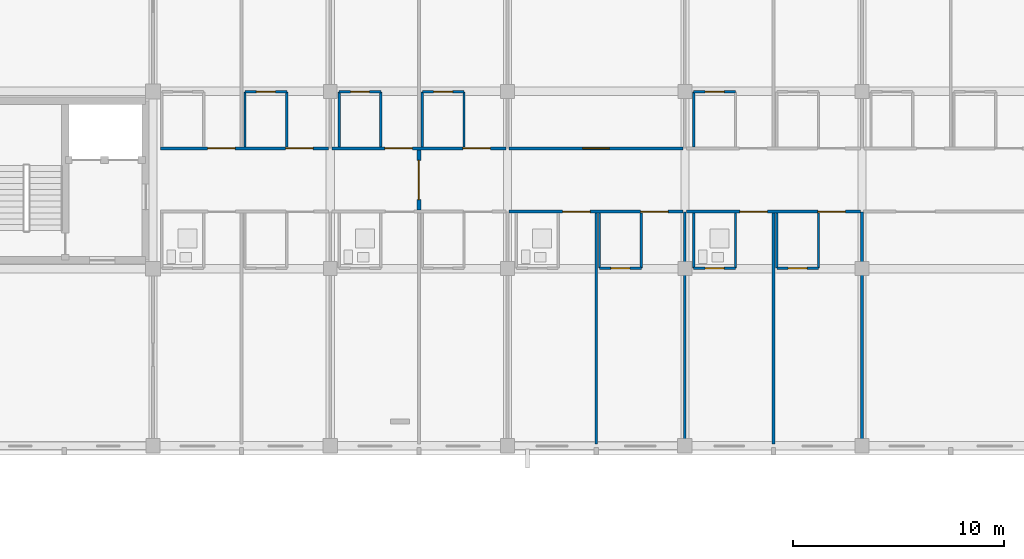
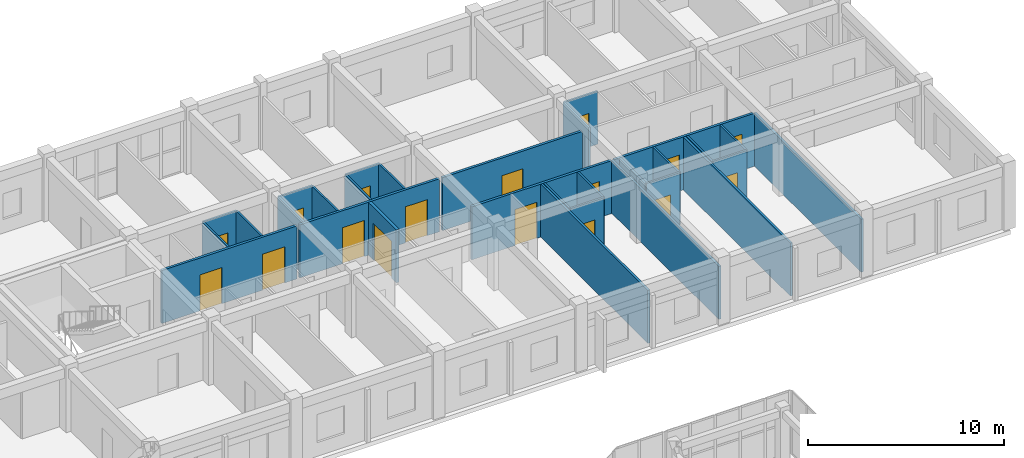
# One storey, part 122 of 140: 30 walls, 17 doors, 17 openings.
"""IFC4 building model written with IfcOpenShell, lengths in metres."""

from ifc_helpers import new_model, si_unit, direction, frame, frame_2d, origin, place, context, subcontext, project, spatial, rectangle, extrude, material, layer, layer_set, type_object, element, fill, save


model = new_model("IFC4")

# Units and contexts
model_context = context("Model", 3, precision=1e-05, world=origin(), true_north=direction((0.0, 1.0)))
body_context = subcontext(model_context, "Body", "Model", "MODEL_VIEW")
ifc_project = project(units=[si_unit("LENGTHUNIT", "METRE"), si_unit("AREAUNIT", "SQUARE_METRE"), si_unit("VOLUMEUNIT", "CUBIC_METRE"), si_unit("PLANEANGLEUNIT", "RADIAN"), si_unit("MASSUNIT", "GRAM", prefix="KILO")], contexts=[model_context])

# Site, building, storey
site_placement = place(None, origin())
site = spatial("IfcSite", under=ifc_project, at=site_placement, CompositionType="ELEMENT")
building_placement = place(site_placement, origin())
building = spatial("IfcBuilding", under=site, at=building_placement, Name="Trelvath General Hospital", CompositionType="ELEMENT")
storey_placement = place(building_placement, frame((0.0, 0.0, 16.199951171875)))
storey = spatial("IfcBuildingStorey", under=building, at=storey_placement, Name="L04", CompositionType="ELEMENT", Elevation=16.199951171875)

# Wall, openings, doors
ifc_material_1 = material(Name="Gypsum acoustic steel-stud partition", Category="steel")
ifc_layer_1 = layer(ifc_material_1, 0.14990234375)
ifc_layer_set_1 = layer_set([ifc_layer_1], Name="Gypsum acoustic steel-stud partition")
wall_type_1 = type_object("IfcWallType", Name="ClinicalPartition 150", PredefinedType="PARTITIONING", material=ifc_layer_set_1)
wall_1_placement = place(storey_placement, frame((100.719970703125, 106.5, 0.0), z_axis=(0.0, 0.0, 1.0), x_axis=(-1.0, 0.0, 0.0)))
wall_1 = element("IfcWall", 1, at=wall_1_placement, inside=storey, type_object=wall_type_1, Name="Corridor Partition N L04-1646", PredefinedType="PARTITIONING", context=body_context, shape_type="SweptSolid", body=[
    extrude(rectangle(XDim=7.9599609375, YDim=0.14990234375, at=frame_2d((3.97998046875, 0.0))), origin(), (0.0, 0.0, 1.0), 3.300048828125),
])
opening_1_placement = place(wall_1_placement, frame((0.72998046875, 0.0, 0.0)))
opening_1 = element("IfcOpeningElement", 2, at=opening_1_placement, cuts=wall_1, Name="Opening D-4-1114", PredefinedType="OPENING", context=body_context, shape_type="SweptSolid", body=[
    extrude(rectangle(XDim=1.300048828125, YDim=2.25, at=frame_2d((0.64990234375, 1.125))), frame((0.0, 0.0849609375, 0.0), z_axis=(0.0, -1.0, 0.0), x_axis=(1.0, 0.0, 0.0)), (0.0, 0.0, 1.0), 0.169921875),
])
opening_2_placement = place(wall_1_placement, frame((4.429931640625, 0.0, 0.0)))
opening_2 = element("IfcOpeningElement", 3, at=opening_2_placement, cuts=wall_1, Name="Opening D-4-1115", PredefinedType="OPENING", context=body_context, shape_type="SweptSolid", body=[
    extrude(rectangle(XDim=1.300048828125, YDim=2.25, at=frame_2d((0.64990234375, 1.125))), frame((0.0, 0.0849609375, 0.0), z_axis=(0.0, -1.0, 0.0), x_axis=(1.0, 0.0, 0.0)), (0.0, 0.0, 1.0), 0.169921875),
])
ifc_material_2 = material(Name="Hospital bed-leaf timber door", Category="wood")
door_type_1 = type_object("IfcDoorType", Name="Door PatientBed 1300x2250", OperationType="NOTDEFINED", PredefinedType="DOOR", material=ifc_material_2)
door_1_placement = place(opening_1_placement, origin())
door_1 = element("IfcDoor", 4, at=door_1_placement, inside=storey, type_object=door_type_1, Name="Patient Room Door N L04-1114", OperationType="SINGLE_SWING_RIGHT", OverallHeight=2.25, OverallWidth=1.300048828125, PredefinedType="DOOR", context=body_context, shape_type="SweptSolid", body=[
    extrude(rectangle(XDim=1.300048828125, YDim=2.25, at=frame_2d((0.64990234375, 1.125))), frame((0.0, 0.02490234375, 0.0), z_axis=(0.0, -1.0, 0.0), x_axis=(1.0, 0.0, 0.0)), (0.0, 0.0, 1.0), 0.050048828125),
])
fill(opening_1, door_1)
door_2_placement = place(opening_2_placement, origin())
door_2 = element("IfcDoor", 5, at=door_2_placement, inside=storey, type_object=door_type_1, Name="Patient Room Door N L04-1115", OperationType="SINGLE_SWING_RIGHT", OverallHeight=2.25, OverallWidth=1.300048828125, PredefinedType="DOOR", context=body_context, shape_type="SweptSolid", body=[
    extrude(rectangle(XDim=1.300048828125, YDim=2.25, at=frame_2d((0.64990234375, 1.125))), frame((0.0, 0.02490234375, 0.0), z_axis=(0.0, -1.0, 0.0), x_axis=(1.0, 0.0, 0.0)), (0.0, 0.0, 1.0), 0.050048828125),
])
fill(opening_2, door_2)

wall_2_placement = place(storey_placement, frame((109.1201171875, 106.5, 0.0), z_axis=(0.0, 0.0, 1.0), x_axis=(-1.0, 0.0, 0.0)))
wall_2 = element("IfcWall", 6, at=wall_2_placement, inside=storey, type_object=wall_type_1, Name="Corridor Partition N L04-1665", PredefinedType="PARTITIONING", context=body_context, shape_type="SweptSolid", body=[
    extrude(rectangle(XDim=8.240234375, YDim=0.14990234375, at=frame_2d((4.1201171875, 0.0))), origin(), (0.0, 0.0, 1.0), 3.300048828125),
])
opening_3_placement = place(wall_2_placement, frame((0.72998046875, 0.0, 0.0)))
opening_3 = element("IfcOpeningElement", 7, at=opening_3_placement, cuts=wall_2, Name="Opening D-4-1122", PredefinedType="OPENING", context=body_context, shape_type="SweptSolid", body=[
    extrude(rectangle(XDim=1.300048828125, YDim=2.25, at=frame_2d((0.64990234375, 1.125))), frame((0.0, 0.0849609375, 0.0), z_axis=(0.0, -1.0, 0.0), x_axis=(1.0, 0.0, 0.0)), (0.0, 0.0, 1.0), 0.169921875),
])
opening_4_placement = place(wall_2_placement, frame((4.429931640625, 0.0, 0.0)))
opening_4 = element("IfcOpeningElement", 8, at=opening_4_placement, cuts=wall_2, Name="Opening D-4-1123", PredefinedType="OPENING", context=body_context, shape_type="SweptSolid", body=[
    extrude(rectangle(XDim=1.300048828125, YDim=2.25, at=frame_2d((0.64990234375, 1.125))), frame((0.0, 0.0849609375, 0.0), z_axis=(0.0, -1.0, 0.0), x_axis=(1.0, 0.0, 0.0)), (0.0, 0.0, 1.0), 0.169921875),
])
door_3_placement = place(opening_3_placement, origin())
door_3 = element("IfcDoor", 9, at=door_3_placement, inside=storey, type_object=door_type_1, Name="Patient Room Door N L04-1122", OperationType="SINGLE_SWING_LEFT", OverallHeight=2.25, OverallWidth=1.300048828125, PredefinedType="DOOR", context=body_context, shape_type="SweptSolid", body=[
    extrude(rectangle(XDim=1.300048828125, YDim=2.25, at=frame_2d((0.64990234375, 1.125))), frame((0.0, 0.02490234375, 0.0), z_axis=(0.0, -1.0, 0.0), x_axis=(1.0, 0.0, 0.0)), (0.0, 0.0, 1.0), 0.050048828125),
])
fill(opening_3, door_3)
door_4_placement = place(opening_4_placement, origin())
door_4 = element("IfcDoor", 10, at=door_4_placement, inside=storey, type_object=door_type_1, Name="Patient Room Door N L04-1123", OperationType="SINGLE_SWING_LEFT", OverallHeight=2.25, OverallWidth=1.300048828125, PredefinedType="DOOR", context=body_context, shape_type="SweptSolid", body=[
    extrude(rectangle(XDim=1.300048828125, YDim=2.25, at=frame_2d((0.64990234375, 1.125))), frame((0.0, 0.02490234375, 0.0), z_axis=(0.0, -1.0, 0.0), x_axis=(1.0, 0.0, 0.0)), (0.0, 0.0, 1.0), 0.050048828125),
])
fill(opening_4, door_4)

wall_3_placement = place(storey_placement, frame((109.280029296875, 103.5, 0.0), z_axis=(0.0, 0.0, 1.0), x_axis=(1.0, 0.0, 0.0)))
wall_3 = element("IfcWall", 11, at=wall_3_placement, inside=storey, type_object=wall_type_1, Name="Corridor Partition L04-1676", PredefinedType="PARTITIONING", context=body_context, shape_type="SweptSolid", body=[
    extrude(rectangle(XDim=8.239990234375, YDim=0.14990234375, at=frame_2d((4.1201171875, 0.0))), origin(), (0.0, 0.0, 1.0), 3.300048828125),
])
opening_5_placement = place(wall_3_placement, frame((2.530029296875, 0.0, 0.0)))
opening_5 = element("IfcOpeningElement", 12, at=opening_5_placement, cuts=wall_3, Name="Opening D-4-1127", PredefinedType="OPENING", context=body_context, shape_type="SweptSolid", body=[
    extrude(rectangle(XDim=1.300048828125, YDim=2.25, at=frame_2d((0.64990234375, 1.125))), frame((0.0, 0.0849609375, 0.0), z_axis=(0.0, -1.0, 0.0), x_axis=(1.0, 0.0, 0.0)), (0.0, 0.0, 1.0), 0.169921875),
])
opening_6_placement = place(wall_3_placement, frame((6.22998046875, 0.0, 0.0)))
opening_6 = element("IfcOpeningElement", 13, at=opening_6_placement, cuts=wall_3, Name="Opening D-4-1128", PredefinedType="OPENING", context=body_context, shape_type="SweptSolid", body=[
    extrude(rectangle(XDim=1.300048828125, YDim=2.25, at=frame_2d((0.64990234375, 1.125))), frame((0.0, 0.0849609375, 0.0), z_axis=(0.0, -1.0, 0.0), x_axis=(1.0, 0.0, 0.0)), (0.0, 0.0, 1.0), 0.169921875),
])
door_5_placement = place(opening_5_placement, origin())
door_5 = element("IfcDoor", 14, at=door_5_placement, inside=storey, type_object=door_type_1, Name="Patient Room Door L04-1127", OperationType="SINGLE_SWING_RIGHT", OverallHeight=2.25, OverallWidth=1.300048828125, PredefinedType="DOOR", context=body_context, shape_type="SweptSolid", body=[
    extrude(rectangle(XDim=1.300048828125, YDim=2.25, at=frame_2d((0.64990234375, 1.125))), frame((0.0, 0.02490234375, 0.0), z_axis=(0.0, -1.0, 0.0), x_axis=(1.0, 0.0, 0.0)), (0.0, 0.0, 1.0), 0.050048828125),
])
fill(opening_5, door_5)
door_6_placement = place(opening_6_placement, origin())
door_6 = element("IfcDoor", 15, at=door_6_placement, inside=storey, type_object=door_type_1, Name="Patient Room Door L04-1128", OperationType="SINGLE_SWING_LEFT", OverallHeight=2.25, OverallWidth=1.300048828125, PredefinedType="DOOR", context=body_context, shape_type="SweptSolid", body=[
    extrude(rectangle(XDim=1.300048828125, YDim=2.25, at=frame_2d((0.64990234375, 1.125))), frame((0.0, 0.02490234375, 0.0), z_axis=(0.0, -1.0, 0.0), x_axis=(1.0, 0.0, 0.0)), (0.0, 0.0, 1.0), 0.050048828125),
])
fill(opening_6, door_6)

# Wall, opening, door
wall_4_placement = place(storey_placement, frame((117.52001953125, 106.5, 0.0), z_axis=(0.0, 0.0, 1.0), x_axis=(-1.0, 0.0, 0.0)))
wall_4 = element("IfcWall", 16, at=wall_4_placement, inside=storey, type_object=wall_type_1, Name="Corridor Partition N L04-1684", PredefinedType="PARTITIONING", context=body_context, shape_type="SweptSolid", body=[
    extrude(rectangle(XDim=8.239990234375, YDim=0.14990234375, at=frame_2d((4.1201171875, 0.0))), origin(), (0.0, 0.0, 1.0), 3.300048828125),
])
opening_7_placement = place(wall_4_placement, frame((3.4951171875, 0.0, 0.0)))
opening_7 = element("IfcOpeningElement", 17, at=opening_7_placement, cuts=wall_4, Name="Opening D-4-1131", PredefinedType="OPENING", context=body_context, shape_type="SweptSolid", body=[
    extrude(rectangle(XDim=1.25, YDim=2.199951171875, at=frame_2d((0.625, 1.10009765625))), frame((0.0, 0.0849609375, 0.0), z_axis=(0.0, -1.0, 0.0), x_axis=(1.0, 0.0, 0.0)), (0.0, 0.0, 1.0), 0.169921875),
])
ifc_material_3 = material(Name="Acoustic hospital timber leaf", Category="wood")
door_type_2 = type_object("IfcDoorType", Name="Door Treatment 1250x2200", OperationType="NOTDEFINED", PredefinedType="DOOR", material=ifc_material_3)
door_7_placement = place(opening_7_placement, origin())
door_7 = element("IfcDoor", 18, at=door_7_placement, inside=storey, type_object=door_type_2, Name="Clinical Room Door L04-1131", OperationType="SINGLE_SWING_RIGHT", OverallHeight=2.199951171875, OverallWidth=1.25, PredefinedType="DOOR", context=body_context, shape_type="SweptSolid", body=[
    extrude(rectangle(XDim=1.25, YDim=2.199951171875, at=frame_2d((0.625, 1.10009765625))), frame((0.0, 0.02490234375, 0.0), z_axis=(0.0, -1.0, 0.0), x_axis=(1.0, 0.0, 0.0)), (0.0, 0.0, 1.0), 0.050048828125),
])
fill(opening_7, door_7)

# Wall, openings, doors
wall_5_placement = place(storey_placement, frame((117.679931640625, 103.5, 0.0), z_axis=(0.0, 0.0, 1.0), x_axis=(1.0, 0.0, 0.0)))
wall_5 = element("IfcWall", 19, at=wall_5_placement, inside=storey, type_object=wall_type_1, Name="Corridor Partition L04-1687", PredefinedType="PARTITIONING", context=body_context, shape_type="SweptSolid", body=[
    extrude(rectangle(XDim=8.239990234375, YDim=0.14990234375, at=frame_2d((4.1201171875, 0.0))), origin(), (0.0, 0.0, 1.0), 3.300048828125),
])
opening_8_placement = place(wall_5_placement, frame((2.530029296875, 0.0, 0.0)))
opening_8 = element("IfcOpeningElement", 20, at=opening_8_placement, cuts=wall_5, Name="Opening D-4-1132", PredefinedType="OPENING", context=body_context, shape_type="SweptSolid", body=[
    extrude(rectangle(XDim=1.300048828125, YDim=2.25, at=frame_2d((0.64990234375, 1.125))), frame((0.0, 0.0849609375, 0.0), z_axis=(0.0, -1.0, 0.0), x_axis=(1.0, 0.0, 0.0)), (0.0, 0.0, 1.0), 0.169921875),
])
opening_9_placement = place(wall_5_placement, frame((6.22998046875, 0.0, 0.0)))
opening_9 = element("IfcOpeningElement", 21, at=opening_9_placement, cuts=wall_5, Name="Opening D-4-1133", PredefinedType="OPENING", context=body_context, shape_type="SweptSolid", body=[
    extrude(rectangle(XDim=1.300048828125, YDim=2.25, at=frame_2d((0.64990234375, 1.125))), frame((0.0, 0.0849609375, 0.0), z_axis=(0.0, -1.0, 0.0), x_axis=(1.0, 0.0, 0.0)), (0.0, 0.0, 1.0), 0.169921875),
])
door_8_placement = place(opening_8_placement, origin())
door_8 = element("IfcDoor", 22, at=door_8_placement, inside=storey, type_object=door_type_1, Name="Patient Room Door L04-1132", OperationType="SINGLE_SWING_LEFT", OverallHeight=2.25, OverallWidth=1.300048828125, PredefinedType="DOOR", context=body_context, shape_type="SweptSolid", body=[
    extrude(rectangle(XDim=1.300048828125, YDim=2.25, at=frame_2d((0.64990234375, 1.125))), frame((0.0, 0.02490234375, 0.0), z_axis=(0.0, -1.0, 0.0), x_axis=(1.0, 0.0, 0.0)), (0.0, 0.0, 1.0), 0.050048828125),
])
fill(opening_8, door_8)
door_9_placement = place(opening_9_placement, origin())
door_9 = element("IfcDoor", 23, at=door_9_placement, inside=storey, type_object=door_type_1, Name="Patient Room Door L04-1133", OperationType="SINGLE_SWING_RIGHT", OverallHeight=2.25, OverallWidth=1.300048828125, PredefinedType="DOOR", context=body_context, shape_type="SweptSolid", body=[
    extrude(rectangle(XDim=1.300048828125, YDim=2.25, at=frame_2d((0.64990234375, 1.125))), frame((0.0, 0.02490234375, 0.0), z_axis=(0.0, -1.0, 0.0), x_axis=(1.0, 0.0, 0.0)), (0.0, 0.0, 1.0), 0.050048828125),
])
fill(opening_9, door_9)

# Walls
ifc_material_4 = material(Name="Moisture-resistant tile partition")
ifc_layer_2 = layer(ifc_material_4, 0.110107421875)
ifc_layer_set_2 = layer_set([ifc_layer_2], Name="Moisture-resistant tile partition")
wall_type_2 = type_object("IfcWallType", Name="EnSuiteWetWall 110", PredefinedType="PARTITIONING", material=ifc_layer_set_2)
for number, where, z_axis, x_axis, name in (
    (24, (96.760009765625, 106.570068359375, 0.0), (0.0, 0.0, 1.0), (0.0, 1.0, 0.0), "En-Suite W Wall N L04-1651"),
    (25, (98.739990234375, 106.570068359375, 0.0), (0.0, 0.0, 1.0), (0.0, 1.0, 0.0), "En-Suite E Wall N L04-1652"),
):
    element("IfcWall", number, at=place(storey_placement, frame(where, z_axis=z_axis, x_axis=x_axis)), inside=storey, type_object=wall_type_2, Name=name, PredefinedType="PARTITIONING", context=body_context, shape_type="SweptSolid", body=[
        extrude(rectangle(XDim=2.60986328125, YDim=0.110107421875, at=frame_2d((1.304931640625, 0.0))), origin(), (0.0, 0.0, 1.0), 3.300048828125),
    ])

# Wall, opening, door
wall_6_placement = place(storey_placement, frame((96.760009765625, 109.179931640625, 0.0), z_axis=(0.0, 0.0, 1.0), x_axis=(1.0, 0.0, 0.0)))
wall_6 = element("IfcWall", 26, at=wall_6_placement, inside=storey, type_object=wall_type_2, Name="En-Suite Bathroom N Partition L04-1653", PredefinedType="PARTITIONING", context=body_context, shape_type="SweptSolid", body=[
    extrude(rectangle(XDim=1.97998046875, YDim=0.110107421875, at=frame_2d((0.989990234375, 0.0))), origin(), (0.0, 0.0, 1.0), 3.300048828125),
])
opening_10_placement = place(wall_6_placement, frame((0.5400390625, 0.0, 0.0)))
opening_10 = element("IfcOpeningElement", 27, at=opening_10_placement, cuts=wall_6, Name="Opening D-4-1117", PredefinedType="OPENING", context=body_context, shape_type="SweptSolid", body=[
    extrude(rectangle(XDim=0.89990234375, YDim=2.10009765625, at=frame_2d((0.449951171875, 1.050048828125))), frame((0.0, 0.06494140625, 0.0), z_axis=(0.0, -1.0, 0.0), x_axis=(1.0, 0.0, 0.0)), (0.0, 0.0, 1.0), 0.130126953125),
])
ifc_material_5 = material(Name="Moisture-sealed timber leaf", Category="wood")
door_type_3 = type_object("IfcDoorType", Name="Door EnSuite 900x2100", OperationType="NOTDEFINED", PredefinedType="DOOR", material=ifc_material_5)
door_10_placement = place(opening_10_placement, origin())
door_10 = element("IfcDoor", 28, at=door_10_placement, inside=storey, type_object=door_type_3, Name="En-Suite Bathroom N Door L04-1117", OperationType="SINGLE_SWING_RIGHT", OverallHeight=2.10009765625, OverallWidth=0.89990234375, PredefinedType="DOOR", context=body_context, shape_type="SweptSolid", body=[
    extrude(rectangle(XDim=0.89990234375, YDim=2.10009765625, at=frame_2d((0.449951171875, 1.050048828125))), frame((0.0, 0.02490234375, 0.0), z_axis=(0.0, -1.0, 0.0), x_axis=(1.0, 0.0, 0.0)), (0.0, 0.0, 1.0), 0.050048828125),
])
fill(opening_10, door_10)

# Walls
for number, where, z_axis, x_axis, name in (
    (29, (101.219970703125, 106.570068359375, 0.0), (0.0, 0.0, 1.0), (0.0, 1.0, 0.0), "En-Suite W Wall N L04-1667"),
    (30, (103.199951171875, 106.570068359375, 0.0), (0.0, 0.0, 1.0), (0.0, 1.0, 0.0), "En-Suite E Wall N L04-1668"),
):
    element("IfcWall", number, at=place(storey_placement, frame(where, z_axis=z_axis, x_axis=x_axis)), inside=storey, type_object=wall_type_2, Name=name, PredefinedType="PARTITIONING", context=body_context, shape_type="SweptSolid", body=[
        extrude(rectangle(XDim=2.60986328125, YDim=0.110107421875, at=frame_2d((1.304931640625, 0.0))), origin(), (0.0, 0.0, 1.0), 3.300048828125),
    ])

# Wall, opening, door
wall_7_placement = place(storey_placement, frame((101.219970703125, 109.179931640625, 0.0), z_axis=(0.0, 0.0, 1.0), x_axis=(1.0, 0.0, 0.0)))
wall_7 = element("IfcWall", 31, at=wall_7_placement, inside=storey, type_object=wall_type_2, Name="En-Suite Bathroom N Partition L04-1669", PredefinedType="PARTITIONING", context=body_context, shape_type="SweptSolid", body=[
    extrude(rectangle(XDim=1.97998046875, YDim=0.110107421875, at=frame_2d((0.989990234375, 0.0))), origin(), (0.0, 0.0, 1.0), 3.300048828125),
])
opening_11_placement = place(wall_7_placement, frame((0.5400390625, 0.0, 0.0)))
opening_11 = element("IfcOpeningElement", 32, at=opening_11_placement, cuts=wall_7, Name="Opening D-4-1124", PredefinedType="OPENING", context=body_context, shape_type="SweptSolid", body=[
    extrude(rectangle(XDim=0.89990234375, YDim=2.10009765625, at=frame_2d((0.449951171875, 1.050048828125))), frame((0.0, 0.06494140625, 0.0), z_axis=(0.0, -1.0, 0.0), x_axis=(1.0, 0.0, 0.0)), (0.0, 0.0, 1.0), 0.130126953125),
])
door_11_placement = place(opening_11_placement, origin())
door_11 = element("IfcDoor", 33, at=door_11_placement, inside=storey, type_object=door_type_3, Name="En-Suite Bathroom N Door L04-1124", OperationType="SINGLE_SWING_RIGHT", OverallHeight=2.10009765625, OverallWidth=0.89990234375, PredefinedType="DOOR", context=body_context, shape_type="SweptSolid", body=[
    extrude(rectangle(XDim=0.89990234375, YDim=2.10009765625, at=frame_2d((0.449951171875, 1.050048828125))), frame((0.0, 0.02490234375, 0.0), z_axis=(0.0, -1.0, 0.0), x_axis=(1.0, 0.0, 0.0)), (0.0, 0.0, 1.0), 0.050048828125),
])
fill(opening_11, door_11)

# Walls
for number, where, z_axis, x_axis, name in (
    (34, (105.159912109375, 106.570068359375, 0.0), (0.0, 0.0, 1.0), (0.0, 1.0, 0.0), "En-Suite W Wall N L04-1670"),
    (35, (107.139892578125, 106.570068359375, 0.0), (0.0, 0.0, 1.0), (0.0, 1.0, 0.0), "En-Suite E Wall N L04-1671"),
):
    element("IfcWall", number, at=place(storey_placement, frame(where, z_axis=z_axis, x_axis=x_axis)), inside=storey, type_object=wall_type_2, Name=name, PredefinedType="PARTITIONING", context=body_context, shape_type="SweptSolid", body=[
        extrude(rectangle(XDim=2.60986328125, YDim=0.110107421875, at=frame_2d((1.304931640625, 0.0))), origin(), (0.0, 0.0, 1.0), 3.300048828125),
    ])

# Wall, opening, door
wall_8_placement = place(storey_placement, frame((105.159912109375, 109.179931640625, 0.0), z_axis=(0.0, 0.0, 1.0), x_axis=(1.0, 0.0, 0.0)))
wall_8 = element("IfcWall", 36, at=wall_8_placement, inside=storey, type_object=wall_type_2, Name="En-Suite Bathroom N Partition L04-1672", PredefinedType="PARTITIONING", context=body_context, shape_type="SweptSolid", body=[
    extrude(rectangle(XDim=1.97998046875, YDim=0.110107421875, at=frame_2d((0.989990234375, 0.0))), origin(), (0.0, 0.0, 1.0), 3.300048828125),
])
opening_12_placement = place(wall_8_placement, frame((0.5400390625, 0.0, 0.0)))
opening_12 = element("IfcOpeningElement", 37, at=opening_12_placement, cuts=wall_8, Name="Opening D-4-1125", PredefinedType="OPENING", context=body_context, shape_type="SweptSolid", body=[
    extrude(rectangle(XDim=0.89990234375, YDim=2.10009765625, at=frame_2d((0.449951171875, 1.050048828125))), frame((0.0, 0.06494140625, 0.0), z_axis=(0.0, -1.0, 0.0), x_axis=(1.0, 0.0, 0.0)), (0.0, 0.0, 1.0), 0.130126953125),
])
door_12_placement = place(opening_12_placement, origin())
door_12 = element("IfcDoor", 38, at=door_12_placement, inside=storey, type_object=door_type_3, Name="En-Suite Bathroom N Door L04-1125", OperationType="SINGLE_SWING_LEFT", OverallHeight=2.10009765625, OverallWidth=0.89990234375, PredefinedType="DOOR", context=body_context, shape_type="SweptSolid", body=[
    extrude(rectangle(XDim=0.89990234375, YDim=2.10009765625, at=frame_2d((0.449951171875, 1.050048828125))), frame((0.0, 0.02490234375, 0.0), z_axis=(0.0, -1.0, 0.0), x_axis=(1.0, 0.0, 0.0)), (0.0, 0.0, 1.0), 0.050048828125),
])
fill(opening_12, door_12)

# Walls
for number, where, z_axis, x_axis, name in (
    (39, (113.56005859375, 100.820068359375, 0.0), (0.0, 0.0, 1.0), (0.0, 1.0, 0.0), "En-Suite W Wall L04-1681"),
    (40, (115.5400390625, 100.820068359375, 0.0), (0.0, 0.0, 1.0), (0.0, 1.0, 0.0), "En-Suite E Wall L04-1682"),
):
    element("IfcWall", number, at=place(storey_placement, frame(where, z_axis=z_axis, x_axis=x_axis)), inside=storey, type_object=wall_type_2, Name=name, PredefinedType="PARTITIONING", context=body_context, shape_type="SweptSolid", body=[
        extrude(rectangle(XDim=2.60986328125, YDim=0.110107421875, at=frame_2d((1.304931640625, 0.0))), origin(), (0.0, 0.0, 1.0), 3.300048828125),
    ])

# Wall, opening, door
wall_9_placement = place(storey_placement, frame((113.56005859375, 100.820068359375, 0.0), z_axis=(0.0, 0.0, 1.0), x_axis=(1.0, 0.0, 0.0)))
wall_9 = element("IfcWall", 41, at=wall_9_placement, inside=storey, type_object=wall_type_2, Name="En-Suite Bathroom Partition L04-1683", PredefinedType="PARTITIONING", context=body_context, shape_type="SweptSolid", body=[
    extrude(rectangle(XDim=1.97998046875, YDim=0.110107421875, at=frame_2d((0.989990234375, 0.0))), origin(), (0.0, 0.0, 1.0), 3.300048828125),
])
opening_13_placement = place(wall_9_placement, frame((0.5400390625, 0.0, 0.0)))
opening_13 = element("IfcOpeningElement", 42, at=opening_13_placement, cuts=wall_9, Name="Opening D-4-1130", PredefinedType="OPENING", context=body_context, shape_type="SweptSolid", body=[
    extrude(rectangle(XDim=0.89990234375, YDim=2.10009765625, at=frame_2d((0.449951171875, 1.050048828125))), frame((0.0, 0.06494140625, 0.0), z_axis=(0.0, -1.0, 0.0), x_axis=(1.0, 0.0, 0.0)), (0.0, 0.0, 1.0), 0.130126953125),
])
door_13_placement = place(opening_13_placement, origin())
door_13 = element("IfcDoor", 43, at=door_13_placement, inside=storey, type_object=door_type_3, Name="En-Suite Bathroom Door L04-1130", OperationType="SINGLE_SWING_LEFT", OverallHeight=2.10009765625, OverallWidth=0.89990234375, PredefinedType="DOOR", context=body_context, shape_type="SweptSolid", body=[
    extrude(rectangle(XDim=0.89990234375, YDim=2.10009765625, at=frame_2d((0.449951171875, 1.050048828125))), frame((0.0, 0.02490234375, 0.0), z_axis=(0.0, -1.0, 0.0), x_axis=(1.0, 0.0, 0.0)), (0.0, 0.0, 1.0), 0.050048828125),
])
fill(opening_13, door_13)

# Walls
for number, where, z_axis, x_axis, name in (
    (44, (118.02001953125, 100.820068359375, 0.0), (0.0, 0.0, 1.0), (0.0, 1.0, 0.0), "En-Suite W Wall L04-1689"),
    (45, (120.0, 100.820068359375, 0.0), (0.0, 0.0, 1.0), (0.0, 1.0, 0.0), "En-Suite E Wall L04-1690"),
):
    element("IfcWall", number, at=place(storey_placement, frame(where, z_axis=z_axis, x_axis=x_axis)), inside=storey, type_object=wall_type_2, Name=name, PredefinedType="PARTITIONING", context=body_context, shape_type="SweptSolid", body=[
        extrude(rectangle(XDim=2.60986328125, YDim=0.110107421875, at=frame_2d((1.304931640625, 0.0))), origin(), (0.0, 0.0, 1.0), 3.300048828125),
    ])

# Wall, opening, door
wall_10_placement = place(storey_placement, frame((118.02001953125, 100.820068359375, 0.0), z_axis=(0.0, 0.0, 1.0), x_axis=(1.0, 0.0, 0.0)))
wall_10 = element("IfcWall", 46, at=wall_10_placement, inside=storey, type_object=wall_type_2, Name="En-Suite Bathroom Partition L04-1691", PredefinedType="PARTITIONING", context=body_context, shape_type="SweptSolid", body=[
    extrude(rectangle(XDim=1.97998046875, YDim=0.110107421875, at=frame_2d((0.989990234375, 0.0))), origin(), (0.0, 0.0, 1.0), 3.300048828125),
])
opening_14_placement = place(wall_10_placement, frame((0.5400390625, 0.0, 0.0)))
opening_14 = element("IfcOpeningElement", 47, at=opening_14_placement, cuts=wall_10, Name="Opening D-4-1134", PredefinedType="OPENING", context=body_context, shape_type="SweptSolid", body=[
    extrude(rectangle(XDim=0.89990234375, YDim=2.10009765625, at=frame_2d((0.449951171875, 1.050048828125))), frame((0.0, 0.06494140625, 0.0), z_axis=(0.0, -1.0, 0.0), x_axis=(1.0, 0.0, 0.0)), (0.0, 0.0, 1.0), 0.130126953125),
])
door_14_placement = place(opening_14_placement, origin())
door_14 = element("IfcDoor", 48, at=door_14_placement, inside=storey, type_object=door_type_3, Name="En-Suite Bathroom Door L04-1134", OperationType="SINGLE_SWING_LEFT", OverallHeight=2.10009765625, OverallWidth=0.89990234375, PredefinedType="DOOR", context=body_context, shape_type="SweptSolid", body=[
    extrude(rectangle(XDim=0.89990234375, YDim=2.10009765625, at=frame_2d((0.449951171875, 1.050048828125))), frame((0.0, 0.02490234375, 0.0), z_axis=(0.0, -1.0, 0.0), x_axis=(1.0, 0.0, 0.0)), (0.0, 0.0, 1.0), 0.050048828125),
])
fill(opening_14, door_14)

# Walls
for number, where, z_axis, x_axis, name in (
    (49, (121.9599609375, 100.820068359375, 0.0), (0.0, 0.0, 1.0), (0.0, 1.0, 0.0), "En-Suite W Wall L04-1692"),
    (50, (123.93994140625, 100.820068359375, 0.0), (0.0, 0.0, 1.0), (0.0, 1.0, 0.0), "En-Suite E Wall L04-1693"),
):
    element("IfcWall", number, at=place(storey_placement, frame(where, z_axis=z_axis, x_axis=x_axis)), inside=storey, type_object=wall_type_2, Name=name, PredefinedType="PARTITIONING", context=body_context, shape_type="SweptSolid", body=[
        extrude(rectangle(XDim=2.60986328125, YDim=0.110107421875, at=frame_2d((1.304931640625, 0.0))), origin(), (0.0, 0.0, 1.0), 3.300048828125),
    ])

# Wall, opening, door
wall_11_placement = place(storey_placement, frame((121.9599609375, 100.820068359375, 0.0), z_axis=(0.0, 0.0, 1.0), x_axis=(1.0, 0.0, 0.0)))
wall_11 = element("IfcWall", 51, at=wall_11_placement, inside=storey, type_object=wall_type_2, Name="En-Suite Bathroom Partition L04-1694", PredefinedType="PARTITIONING", context=body_context, shape_type="SweptSolid", body=[
    extrude(rectangle(XDim=1.97998046875, YDim=0.110107421875, at=frame_2d((0.989990234375, 0.0))), origin(), (0.0, 0.0, 1.0), 3.300048828125),
])
opening_15_placement = place(wall_11_placement, frame((0.5400390625, 0.0, 0.0)))
opening_15 = element("IfcOpeningElement", 52, at=opening_15_placement, cuts=wall_11, Name="Opening D-4-1135", PredefinedType="OPENING", context=body_context, shape_type="SweptSolid", body=[
    extrude(rectangle(XDim=0.89990234375, YDim=2.10009765625, at=frame_2d((0.449951171875, 1.050048828125))), frame((0.0, 0.06494140625, 0.0), z_axis=(0.0, -1.0, 0.0), x_axis=(1.0, 0.0, 0.0)), (0.0, 0.0, 1.0), 0.130126953125),
])
door_15_placement = place(opening_15_placement, origin())
door_15 = element("IfcDoor", 53, at=door_15_placement, inside=storey, type_object=door_type_3, Name="En-Suite Bathroom Door L04-1135", OperationType="SINGLE_SWING_RIGHT", OverallHeight=2.10009765625, OverallWidth=0.89990234375, PredefinedType="DOOR", context=body_context, shape_type="SweptSolid", body=[
    extrude(rectangle(XDim=0.89990234375, YDim=2.10009765625, at=frame_2d((0.449951171875, 1.050048828125))), frame((0.0, 0.02490234375, 0.0), z_axis=(0.0, -1.0, 0.0), x_axis=(1.0, 0.0, 0.0)), (0.0, 0.0, 1.0), 0.050048828125),
])
fill(opening_15, door_15)

# Wall
wall_12_placement = place(storey_placement, frame((118.02001953125, 106.570068359375, 0.0), z_axis=(0.0, 0.0, 1.0), x_axis=(0.0, 1.0, 0.0)))
element("IfcWall", 54, at=wall_12_placement, inside=storey, type_object=wall_type_2, Name="En-Suite W Wall N L04-1697", PredefinedType="PARTITIONING", context=body_context, shape_type="SweptSolid", body=[
    extrude(rectangle(XDim=2.60986328125, YDim=0.110107421875, at=frame_2d((1.304931640625, 0.0))), origin(), (0.0, 0.0, 1.0), 3.300048828125),
])

# Wall, opening, door
wall_13_placement = place(storey_placement, frame((118.02001953125, 109.179931640625, 0.0), z_axis=(0.0, 0.0, 1.0), x_axis=(1.0, 0.0, 0.0)))
wall_13 = element("IfcWall", 55, at=wall_13_placement, inside=storey, type_object=wall_type_2, Name="En-Suite Bathroom N Partition L04-1699", PredefinedType="PARTITIONING", context=body_context, shape_type="SweptSolid", body=[
    extrude(rectangle(XDim=1.97998046875, YDim=0.110107421875, at=frame_2d((0.989990234375, 0.0))), origin(), (0.0, 0.0, 1.0), 3.300048828125),
])
opening_16_placement = place(wall_13_placement, frame((0.5400390625, 0.0, 0.0)))
opening_16 = element("IfcOpeningElement", 56, at=opening_16_placement, cuts=wall_13, Name="Opening D-4-1138", PredefinedType="OPENING", context=body_context, shape_type="SweptSolid", body=[
    extrude(rectangle(XDim=0.89990234375, YDim=2.10009765625, at=frame_2d((0.449951171875, 1.050048828125))), frame((0.0, 0.06494140625, 0.0), z_axis=(0.0, -1.0, 0.0), x_axis=(1.0, 0.0, 0.0)), (0.0, 0.0, 1.0), 0.130126953125),
])
door_16_placement = place(opening_16_placement, origin())
door_16 = element("IfcDoor", 57, at=door_16_placement, inside=storey, type_object=door_type_3, Name="En-Suite Bathroom N Door L04-1138", OperationType="SINGLE_SWING_RIGHT", OverallHeight=2.10009765625, OverallWidth=0.89990234375, PredefinedType="DOOR", context=body_context, shape_type="SweptSolid", body=[
    extrude(rectangle(XDim=0.89990234375, YDim=2.10009765625, at=frame_2d((0.449951171875, 1.050048828125))), frame((0.0, 0.02490234375, 0.0), z_axis=(0.0, -1.0, 0.0), x_axis=(1.0, 0.0, 0.0)), (0.0, 0.0, 1.0), 0.050048828125),
])
fill(opening_16, door_16)

ifc_material_6 = material(Name="Masonry fire blockwork", Category="masonry")
ifc_layer_3 = layer(ifc_material_6, 0.179931640625)
ifc_layer_set_3 = layer_set([ifc_layer_3], Name="Masonry fire blockwork")
wall_type_3 = type_object("IfcWallType", Name="SmokeBarrierWall 180", PredefinedType="PARTITIONING", material=ifc_layer_set_3)
wall_14_placement = place(storey_placement, frame((105.0, 103.580078125, 0.0), z_axis=(0.0, 0.0, 1.0), x_axis=(0.0, 1.0, 0.0)))
wall_14 = element("IfcWall", 58, at=wall_14_placement, inside=storey, type_object=wall_type_3, Name="Smoke Compartment Barrier L04-1673", PredefinedType="PARTITIONING", context=body_context, shape_type="SweptSolid", body=[
    extrude(rectangle(XDim=2.83984375, YDim=0.179931640625, at=frame_2d((1.419921875, 0.0))), origin(), (0.0, 0.0, 1.0), 3.300048828125),
])
opening_17_placement = place(wall_14_placement, frame((0.4951171875, 0.0, 0.0)))
opening_17 = element("IfcOpeningElement", 59, at=opening_17_placement, cuts=wall_14, Name="Opening SD-4-1126", PredefinedType="OPENING", context=body_context, shape_type="SweptSolid", body=[
    extrude(rectangle(XDim=1.85009765625, YDim=2.300048828125, at=frame_2d((0.925048828125, 1.14990234375))), frame((0.0, 0.099853515625, 0.0), z_axis=(0.0, -1.0, 0.0), x_axis=(1.0, 0.0, 0.0)), (0.0, 0.0, 1.0), 0.199951171875),
])
ifc_material_7 = material(Name="Fire-rated steel cross-corridor pair", Category="steel")
door_type_4 = type_object("IfcDoorType", Name="Door SmokeCross 1850x2300", OperationType="DOUBLE_SWING_LEFT", PredefinedType="DOOR", material=ifc_material_7)
door_17_placement = place(opening_17_placement, origin())
door_17 = element("IfcDoor", 60, at=door_17_placement, inside=storey, type_object=door_type_4, Name="Cross-Corridor Smoke Door L04-1126", OperationType="SLIDING_TO_LEFT", OverallHeight=2.300048828125, OverallWidth=1.85009765625, PredefinedType="DOOR", context=body_context, shape_type="SweptSolid", body=[
    extrude(rectangle(XDim=1.85009765625, YDim=2.300048828125, at=frame_2d((0.925048828125, 1.14990234375))), frame((0.0, 0.02490234375, 0.0), z_axis=(0.0, -1.0, 0.0), x_axis=(1.0, 0.0, 0.0)), (0.0, 0.0, 1.0), 0.050048828125),
])
fill(opening_17, door_17)

# Walls
ifc_material_8 = material(Name="Gypsum acoustic steel-stud partition", Category="steel")
ifc_layer_4 = layer(ifc_material_8, 0.1298828125)
ifc_layer_set_4 = layer_set([ifc_layer_4], Name="Gypsum acoustic steel-stud partition")
wall_type_4 = type_object("IfcWallType", Name="WardPartition 130", PredefinedType="PARTITIONING", material=ifc_layer_set_4)
wall_15_placement = place(storey_placement, frame((113.39990234375, 92.5, 0.0), z_axis=(0.0, 0.0, 1.0), x_axis=(0.0, 1.0, 0.0)))
element("IfcWall", 61, at=wall_15_placement, inside=storey, type_object=wall_type_4, Name="Room Dividing Partition S L04-1677", PredefinedType="PARTITIONING", context=body_context, shape_type="SweptSolid", body=[
    extrude(rectangle(XDim=10.929931640625, YDim=0.1298828125, at=frame_2d((5.46484375, 0.0))), origin(), (0.0, 0.0, 1.0), 3.300048828125),
])
wall_16_placement = place(storey_placement, frame((117.60009765625, 92.5400390625, 0.0), z_axis=(0.0, 0.0, 1.0), x_axis=(0.0, 1.0, 0.0)))
element("IfcWall", 62, at=wall_16_placement, inside=storey, type_object=wall_type_4, Name="Inter-Bay Ward Partition S L04-1685", PredefinedType="PARTITIONING", context=body_context, shape_type="SweptSolid", body=[
    extrude(rectangle(XDim=10.93994140625, YDim=0.1298828125, at=frame_2d((5.469970703125, 0.0))), origin(), (0.0, 0.0, 1.0), 3.300048828125),
])
wall_17_placement = place(storey_placement, frame((121.800048828125, 92.5, 0.0), z_axis=(0.0, 0.0, 1.0), x_axis=(0.0, 1.0, 0.0)))
element("IfcWall", 63, at=wall_17_placement, inside=storey, type_object=wall_type_4, Name="Room Dividing Partition S L04-1688", PredefinedType="PARTITIONING", context=body_context, shape_type="SweptSolid", body=[
    extrude(rectangle(XDim=10.929931640625, YDim=0.1298828125, at=frame_2d((5.46484375, 0.0))), origin(), (0.0, 0.0, 1.0), 3.300048828125),
])
wall_18_placement = place(storey_placement, frame((126.0, 92.5400390625, 0.0), z_axis=(0.0, 0.0, 1.0), x_axis=(0.0, 1.0, 0.0)))
element("IfcWall", 64, at=wall_18_placement, inside=storey, type_object=wall_type_4, Name="Inter-Bay Ward Partition S L04-1703", PredefinedType="PARTITIONING", context=body_context, shape_type="SweptSolid", body=[
    extrude(rectangle(XDim=10.93994140625, YDim=0.1298828125, at=frame_2d((5.469970703125, 0.0))), origin(), (0.0, 0.0, 1.0), 3.300048828125),
])

save(model, "model.ifc")
